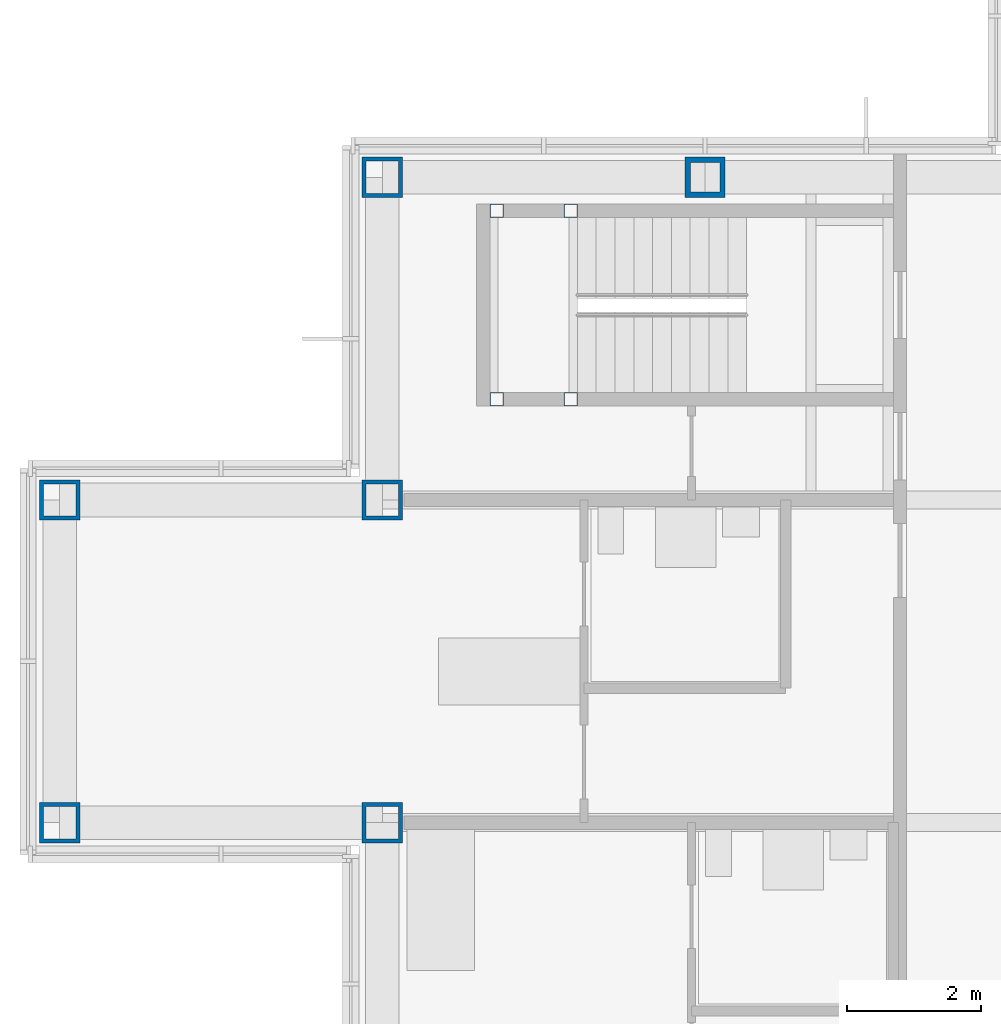
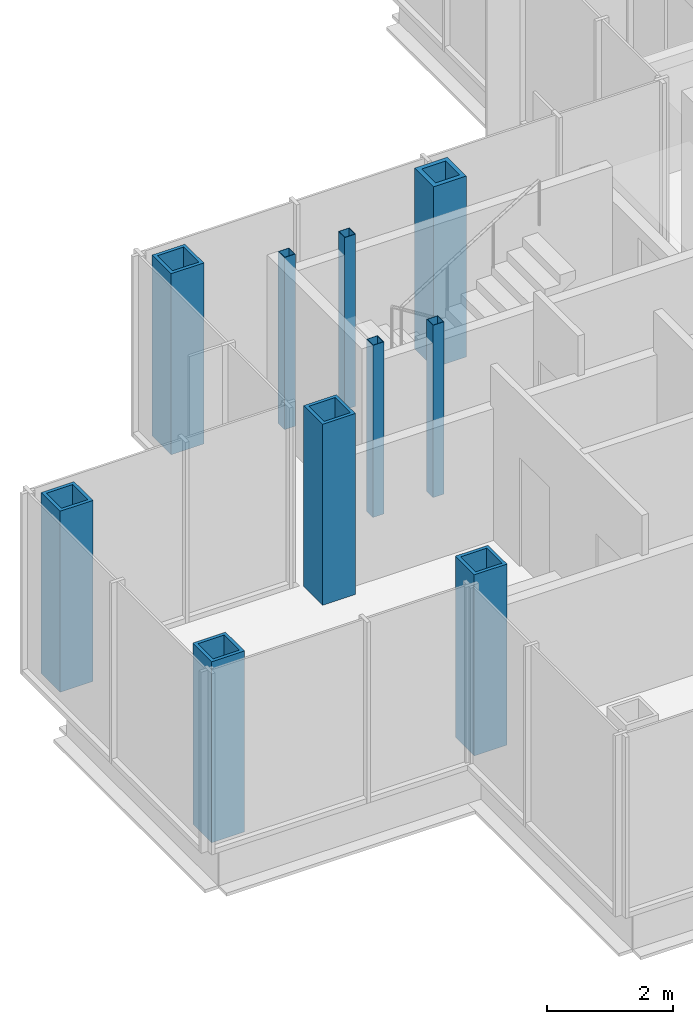
# One storey, part 3 of 17: 10 columns.
"""IFC4 building model written with IfcOpenShell, lengths in metres."""

from ifc_helpers import new_model, si_unit, direction, frame, origin, origin_2d, place, context, subcontext, project, spatial, hollow_rectangle, extrude, material, material_profile, profile_set, type_object, element, save


model = new_model("IFC4")

# Units and contexts
model_context = context("Model", 3, precision=1e-05, world=origin(), true_north=direction((0.0, 1.0)))
body_context = subcontext(model_context, "Body", "Model", "MODEL_VIEW")
ifc_project = project(units=[si_unit("LENGTHUNIT", "METRE"), si_unit("AREAUNIT", "SQUARE_METRE"), si_unit("VOLUMEUNIT", "CUBIC_METRE"), si_unit("PLANEANGLEUNIT", "RADIAN"), si_unit("MASSUNIT", "GRAM", prefix="KILO")], contexts=[model_context])

# Site, building, storey
site_placement = place(None, origin())
site = spatial("IfcSite", under=ifc_project, at=site_placement, CompositionType="ELEMENT")
building_placement = place(site_placement, origin())
building = spatial("IfcBuilding", under=site, at=building_placement, Name="Kvirike Care Tower", CompositionType="ELEMENT")
storey_placement = place(building_placement, frame((0.0, 0.0, 169.0)))
storey = spatial("IfcBuildingStorey", under=building, at=storey_placement, Name="L46", CompositionType="ELEMENT", Elevation=169.0)

# Columns
ifc_material_1 = material(Name="Steel S460", Category="steel")
ifc_material_profile_1 = material_profile(ifc_material_1, hollow_rectangle(XDim=0.60009765625, YDim=0.60009765625, WallThickness=0.06005859375, at=origin_2d()), Name="BX 600x600x60")
ifc_profile_set_1 = profile_set([ifc_material_profile_1], Name="Steel S460")
column_type_1 = type_object("IfcColumnType", Name="COLUMN BX 600x600x60", PredefinedType="COLUMN", material=ifc_profile_set_1)
for number, where, z_axis, x_axis, name in (
    (1, (0.0, 33.60009765625, 0.0), (0.0, 0.0, 1.0), (0.0, 1.0, 0.0), "Column H3 L46"),
    (2, (0.0, 38.39990234375, 0.0), (0.0, 0.0, 1.0), (0.0, 1.0, 0.0), "Column J3 L46"),
    (3, (4.800048828125, 33.60009765625, 0.0), (0.0, 0.0, 1.0), (0.0, 1.0, 0.0), "Column H4 L46"),
    (4, (4.800048828125, 38.39990234375, 0.0), (0.0, 0.0, 1.0), (0.0, 1.0, 0.0), "Column J4 L46"),
    (5, (4.800048828125, 43.199951171875, 0.0), (0.0, 0.0, 1.0), (0.0, 1.0, 0.0), "Column K4 L46"),
):
    element("IfcColumn", number, at=place(storey_placement, frame(where, z_axis=z_axis, x_axis=x_axis)), inside=storey, type_object=column_type_1, Name=name, PredefinedType="COLUMN", context=body_context, shape_type="SweptSolid", body=[
        extrude(hollow_rectangle(XDim=0.60009765625, YDim=0.60009765625, WallThickness=0.06005859375, at=origin_2d()), origin(), (0.0, 0.0, 1.0), 3.5),
    ])
ifc_material_2 = material(Name="Steel S460", Category="steel")
ifc_material_profile_2 = material_profile(ifc_material_2, hollow_rectangle(XDim=0.60009765625, YDim=0.60009765625, WallThickness=0.080078125, at=origin_2d()), Name="BX 600x600x80")
ifc_profile_set_2 = profile_set([ifc_material_profile_2], Name="Steel S460")
column_type_2 = type_object("IfcColumnType", Name="COLUMN BX 600x600x80", PredefinedType="COLUMN", material=ifc_profile_set_2)
column_placement = place(storey_placement, frame((9.60009765625, 43.199951171875, 0.0), z_axis=(0.0, 0.0, 1.0), x_axis=(0.0, 1.0, 0.0)))
element("IfcColumn", 6, at=column_placement, inside=storey, type_object=column_type_2, Name="Column K5 L46", PredefinedType="COLUMN", context=body_context, shape_type="SweptSolid", body=[
    extrude(hollow_rectangle(XDim=0.60009765625, YDim=0.60009765625, WallThickness=0.080078125, at=origin_2d()), origin(), (0.0, 0.0, 1.0), 3.5),
])
ifc_material_3 = material(Name="Steel S460", Category="steel")
ifc_material_profile_3 = material_profile(ifc_material_3, hollow_rectangle(XDim=0.199951171875, YDim=0.199951171875, WallThickness=0.008056640625, at=origin_2d()), Name="SHS 200x200x8")
ifc_profile_set_3 = profile_set([ifc_material_profile_3], Name="Steel S460")
column_type_3 = type_object("IfcColumnType", Name="STAIR POST SHS 200x200x8", PredefinedType="COLUMN", material=ifc_profile_set_3)
for number, where, z_axis, x_axis, name in (
    (7, (6.5, 42.699951171875, 0.0), (0.0, 0.0, 1.0), (1.0, 0.0, 0.0), "Stair 1 post 1 L46"),
    (8, (6.5, 39.89990234375, 0.0), (0.0, 0.0, 1.0), (1.0, 0.0, 0.0), "Stair 1 post 2 L46"),
    (9, (7.60009765625, 42.699951171875, 0.0), (0.0, 0.0, 1.0), (1.0, 0.0, 0.0), "Stair 1 post 3 L46"),
    (10, (7.60009765625, 39.89990234375, 0.0), (0.0, 0.0, 1.0), (1.0, 0.0, 0.0), "Stair 1 post 4 L46"),
):
    element("IfcColumn", number, at=place(storey_placement, frame(where, z_axis=z_axis, x_axis=x_axis)), inside=storey, type_object=column_type_3, Name=name, PredefinedType="COLUMN", context=body_context, shape_type="SweptSolid", body=[
        extrude(hollow_rectangle(XDim=0.199951171875, YDim=0.199951171875, WallThickness=0.008056640625, at=origin_2d()), origin(), (0.0, 0.0, 1.0), 3.330078125),
    ])

save(model, "model.ifc")
